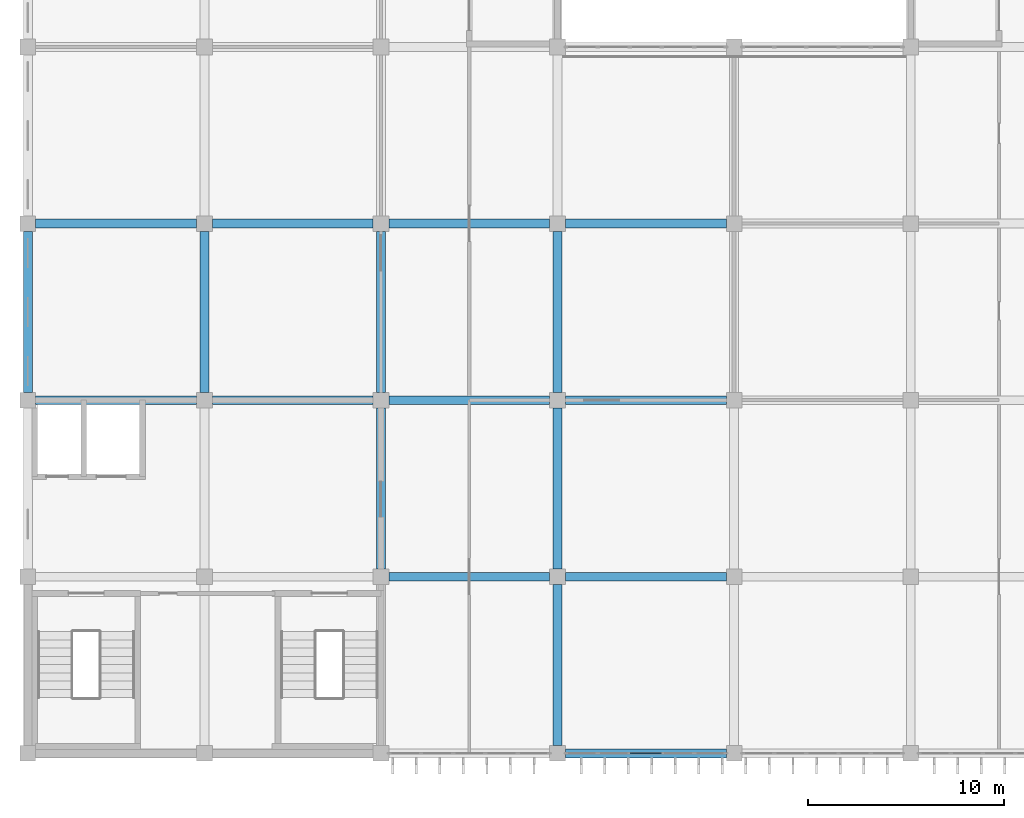
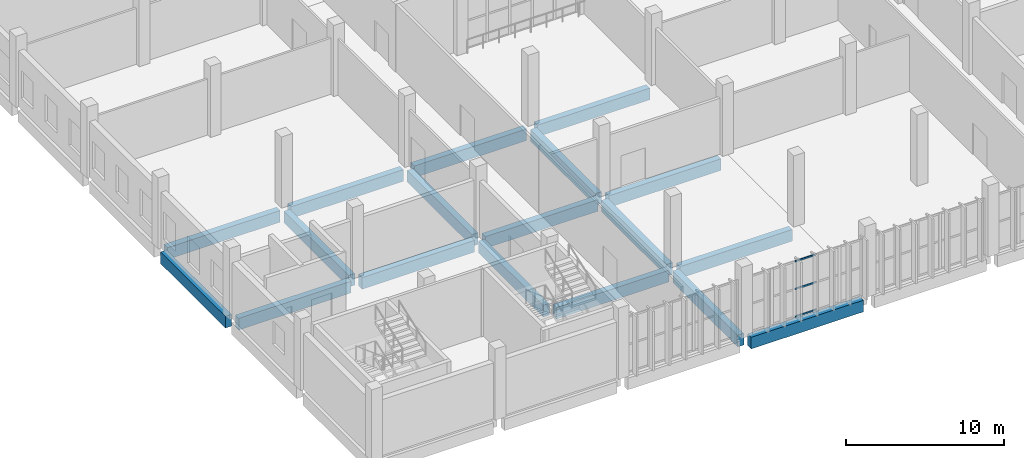
# One storey, part 17 of 185: 18 beams, 3 members, 1 element without a shape of its own.
"""IFC4 building model written with IfcOpenShell, lengths in metres."""

import ifcopenshell
import ifcopenshell.guid

model = None  # the IFC model being written
_history = None  # IfcOwnerHistory: only IFC2X3 demands one
_inside = {}  # id of a spatial element -> (the spatial element, [elements in it])
_under = {}  # id of a project, library or spatial element -> (it, [spatial elements below it])
_declared = {}  # id of a project -> (the project, [libraries it declares])
_typed = {}  # id of a type object -> (the type object, [elements of that type])
_made_of = {}  # id of a material, layer set ... -> (it, [elements and type objects made of it])


def new_model(schema):
    """Start an empty IFC model of exactly this schema.

    Asked for "IFC4X3", IfcOpenShell would pick the latest addendum, in which some entities
    have other attributes; the version numbers below select the first issue.
    IFC2X3 requires an IfcOwnerHistory on every rooted entity: one is made here for all.
    """
    global model, _history
    if schema == "IFC4X3":
        model = ifcopenshell.file(schema_version=(4, 3, 0, 0))
    else:
        model = ifcopenshell.file(schema=schema)
    _inside.clear()
    _under.clear()
    _declared.clear()
    _typed.clear()
    _made_of.clear()
    _history = None
    if model.schema == "IFC2X3":
        org = make("IfcOrganization", Name="unknown")
        user = make(
            "IfcPersonAndOrganization",
            ThePerson=make("IfcPerson", FamilyName="unknown"),
            TheOrganization=org,
        )
        app = make(
            "IfcApplication",
            ApplicationDeveloper=org,
            Version="unknown",
            ApplicationFullName="unknown",
            ApplicationIdentifier="unknown",
        )
        _history = make(
            "IfcOwnerHistory",
            OwningUser=user,
            OwningApplication=app,
            ChangeAction="ADDED",
            CreationDate=0,
        )
    return model


def make(cls, **values):
    """One entity of the class cls with the attributes given. An attribute that is None is left unset."""
    return model.create_entity(
        cls, **{name: value for name, value in values.items() if value is not None}
    )


def rooted(cls, **values):
    """An entity with a GlobalId (a new one), such as an element, a storey or a relation."""
    return make(cls, GlobalId=ifcopenshell.guid.new(), OwnerHistory=_history, **values)


def si_unit(unit_type, name, prefix=None):
    """IfcSIUnit, for example si_unit("LENGTHUNIT", "METRE", prefix="MILLI")."""
    return make("IfcSIUnit", UnitType=unit_type, Prefix=prefix, Name=name)


def assignment(units):
    """IfcUnitAssignment: the units of a project."""
    return None if units is None else make("IfcUnitAssignment", Units=units)


def point(xyz):
    """IfcCartesianPoint."""
    return None if xyz is None else make("IfcCartesianPoint", Coordinates=xyz)


def direction(xyz):
    """IfcDirection."""
    return None if xyz is None else make("IfcDirection", DirectionRatios=xyz)


def frame(location, z_axis=None, x_axis=None):
    """IfcAxis2Placement3D, a coordinate frame: its origin and axes. An axis left out is left unset."""
    return make(
        "IfcAxis2Placement3D",
        Location=point(location),
        Axis=direction(z_axis),
        RefDirection=direction(x_axis),
    )


def frame_2d(location, x_axis=None):
    """IfcAxis2Placement2D, a coordinate frame in the plane: its origin and x axis."""
    return make(
        "IfcAxis2Placement2D", Location=point(location), RefDirection=direction(x_axis)
    )


def origin():
    """The frame at (0, 0, 0) with its axes left unset."""
    return frame((0.0, 0.0, 0.0))


def origin_2d():
    """The frame at (0, 0) in the plane with its x axis left unset."""
    return frame_2d((0.0, 0.0))


def place(relative_to, where):
    """IfcLocalPlacement: puts the frame where relative to a parent placement (None: the world)."""
    return make(
        "IfcLocalPlacement", PlacementRelTo=relative_to, RelativePlacement=where
    )


def context(
    kind, dimensions, precision=None, world=None, true_north=None, identifier=None
):
    """IfcGeometricRepresentationContext, for example the 3D "Model" context."""
    return make(
        "IfcGeometricRepresentationContext",
        ContextIdentifier=identifier,
        ContextType=kind,
        CoordinateSpaceDimension=dimensions,
        Precision=precision,
        WorldCoordinateSystem=world,
        TrueNorth=true_north,
    )


def subcontext(parent, identifier, kind, view, scale=None):
    """IfcGeometricRepresentationSubContext, for example "Body" below "Model"."""
    return make(
        "IfcGeometricRepresentationSubContext",
        ContextIdentifier=identifier,
        ContextType=kind,
        ParentContext=parent,
        TargetScale=scale,
        TargetView=view,
    )


def project(units=None, contexts=None):
    """IfcProject with its units and contexts."""
    return rooted(
        "IfcProject",
        Name="project",
        RepresentationContexts=contexts,
        UnitsInContext=assignment(units),
    )


def spatial(cls, under=None, at=None, **own):
    """A site, building, storey or space (cls), placed at a placement, below another one or the project."""
    s = rooted(cls, ObjectPlacement=at, **own)
    if under is not None:
        _under.setdefault(under.id(), (under, []))[1].append(s)
    return s


def profile(cls, at=None, kind="AREA", **sizes):
    """A parametric profile (cls). Its sizes go by their IFC names, for example OverallWidth=200.0."""
    return make(cls, ProfileType=kind, Position=at, **sizes)


def rectangle(**sizes):
    """IfcRectangleProfileDef."""
    return profile("IfcRectangleProfileDef", **sizes)


def extrude(swept, where, along, depth):
    """IfcExtrudedAreaSolid: the profile swept, set in the frame where, extruded along a direction by depth."""
    return make(
        "IfcExtrudedAreaSolid",
        SweptArea=swept,
        Position=where,
        ExtrudedDirection=direction(along),
        Depth=depth,
    )


def shape(context_of_items, identifier, shape_type, items):
    """IfcShapeRepresentation: the items that make up one representation, for example the "Body"."""
    return make(
        "IfcShapeRepresentation",
        ContextOfItems=context_of_items,
        RepresentationIdentifier=identifier,
        RepresentationType=shape_type,
        Items=items,
    )


def material(Name=None, Category=None):
    """IfcMaterial."""
    return make("IfcMaterial", Name=Name, Category=Category)


def layer(
    of_material, thickness, ventilated=None, Name=None, Category=None, Priority=None
):
    """IfcMaterialLayer: one layer of a wall or slab, of a material (None: an air gap)."""
    return make(
        "IfcMaterialLayer",
        Material=of_material,
        LayerThickness=thickness,
        IsVentilated=ventilated,
        Name=Name,
        Category=Category,
        Priority=Priority,
    )


def layer_set(layers, Name=None):
    """IfcMaterialLayerSet."""
    return make("IfcMaterialLayerSet", MaterialLayers=layers, LayerSetName=Name)


def material_profile(
    of_material, cross_section, Name=None, Category=None, Priority=None
):
    """IfcMaterialProfile: a cross section and its material."""
    return make(
        "IfcMaterialProfile",
        Name=Name,
        Material=of_material,
        Profile=cross_section,
        Priority=Priority,
        Category=Category,
    )


def profile_set(profiles, Name=None, composite=None):
    """IfcMaterialProfileSet."""
    return make(
        "IfcMaterialProfileSet",
        Name=Name,
        MaterialProfiles=profiles,
        CompositeProfile=composite,
    )


def made_of(thing, what):
    """Note that an element or type object is made of a material, layer set ...; save() writes the relation."""
    if what is not None:
        _made_of.setdefault(what.id(), (what, []))[1].append(thing)
    return thing


def type_object(cls, material=None, **own):
    """A type object (cls), such as IfcWallType, which elements share."""
    return made_of(rooted(cls, **own), material)


def element(
    cls,
    number,
    at=None,
    inside=None,
    cuts=None,
    type_object=None,
    material=None,
    context=None,
    identifier="Body",
    shape_type=None,
    held_by="IfcProductDefinitionShape",
    body=None,
    shapes=None,
    **own,
):
    """One element of the class cls, such as IfcWall. Its Tag is "e" and its number.

    at: its placement. inside: the storey or other place that contains it. cuts: it is an
    opening in that element (IfcRelVoidsElement). A single representation is given by context,
    identifier, shape_type and body (its items); several are given by shapes. held_by: the class
    of the entity that holds the representations. save() writes the other relations.
    """
    e = rooted(cls, Tag="e%d" % number, ObjectPlacement=at, **own)
    if body is not None:
        shapes = [shape(context, identifier, shape_type, body)]
    if shapes is not None:
        e.Representation = make(held_by, Representations=shapes)
    if inside is not None:
        _inside.setdefault(inside.id(), (inside, []))[1].append(e)
    if cuts is not None:
        rooted(
            "IfcRelVoidsElement", RelatingBuildingElement=cuts, RelatedOpeningElement=e
        )
    if type_object is not None:
        _typed.setdefault(type_object.id(), (type_object, []))[1].append(e)
    return made_of(e, material)


def aggregate(whole, parts):
    """IfcRelAggregates: a whole, such as a stair, and the parts it consists of."""
    return rooted("IfcRelAggregates", RelatingObject=whole, RelatedObjects=parts)


def save(model, path):
    """Write the relations noted so far, then the file.

    IfcRelAggregates (storeys below a building ...), IfcRelContainedInSpatialStructure (elements
    in a storey), IfcRelDefinesByType, IfcRelAssociatesMaterial and IfcRelDeclares: one each for
    every whole, place, type object, material and project.
    """
    for whole, parts in _under.values():
        aggregate(whole, parts)
    for where, things in _inside.values():
        rooted(
            "IfcRelContainedInSpatialStructure",
            RelatedElements=things,
            RelatingStructure=where,
        )
    for kind, things in _typed.values():
        rooted("IfcRelDefinesByType", RelatedObjects=things, RelatingType=kind)
    for what, things in _made_of.values():
        rooted("IfcRelAssociatesMaterial", RelatedObjects=things, RelatingMaterial=what)
    for by, libraries in _declared.values():
        rooted("IfcRelDeclares", RelatingContext=by, RelatedDefinitions=libraries)
    model.write(path)


model = new_model("IFC4")

# Units and contexts
model_context = context("Model", 3, precision=1e-05, world=origin(), true_north=direction((0.0, 1.0)))
body_context = subcontext(model_context, "Body", "Model", "MODEL_VIEW")
ifc_project = project(units=[si_unit("LENGTHUNIT", "METRE"), si_unit("AREAUNIT", "SQUARE_METRE"), si_unit("VOLUMEUNIT", "CUBIC_METRE"), si_unit("PLANEANGLEUNIT", "RADIAN"), si_unit("MASSUNIT", "GRAM", prefix="KILO")], contexts=[model_context])

# Site, building, storey
site_placement = place(None, origin())
site = spatial("IfcSite", under=ifc_project, at=site_placement, CompositionType="ELEMENT")
building_placement = place(site_placement, origin())
building = spatial("IfcBuilding", under=site, at=building_placement, Name="Opaline Strait Convention Centre", CompositionType="ELEMENT")
storey_placement = place(building_placement, frame((0.0, 0.0, 6.0)))
storey = spatial("IfcBuildingStorey", under=building, at=storey_placement, Name="L01", CompositionType="ELEMENT", Elevation=6.0)

# Curtain wall, members
ifc_material_1 = material(Name="Aluminium framed double glazing", Category="aluminium")
ifc_layer = layer(ifc_material_1, 0.199951171875)
ifc_layer_set = layer_set([ifc_layer], Name="Aluminium framed double glazing")
curtain_wall_type = type_object("IfcCurtainWallType", Name="Curtain wall 1500 module", PredefinedType="NOTDEFINED", material=ifc_layer_set)
curtain_wall_placement = place(storey_placement, origin())
curtain_wall = element("IfcCurtainWall", 1, at=curtain_wall_placement, inside=storey, type_object=curtain_wall_type, Name="L01 S facade glazing bay 4", PredefinedType="NOTDEFINED")
ifc_material_2 = material(Name="Aluminium alloy 6063", Category="aluminium")
ifc_material_profile_1 = material_profile(ifc_material_2, rectangle(XDim=0.06005859375, YDim=0.1201171875, at=origin_2d()), Name="Curtain wall transom 60x120")
ifc_profile_set_1 = profile_set([ifc_material_profile_1], Name="Aluminium alloy 6063")
member_type = type_object("IfcMemberType", Name="Curtain wall transom 60x120", PredefinedType="USERDEFINED", material=ifc_profile_set_1)
member_1_placement = place(storey_placement, frame((39.7099609375, 9.0, 0.030029296875), z_axis=(1.0, 0.0, 0.0), x_axis=(0.0, 1.0, 0.0)))
member_1 = element("IfcMember", 2, at=member_1_placement, type_object=member_type, Name="RCW1 transom 3.1", ObjectType="TRANSOM", PredefinedType="USERDEFINED", context=body_context, shape_type="SweptSolid", body=[
    extrude(rectangle(XDim=0.06005859375, YDim=0.1201171875, at=origin_2d()), origin(), (0.0, 0.0, 1.0), 1.580078125),
])
member_2_placement = place(storey_placement, frame((39.7099609375, 9.0, 2.159912109375), z_axis=(1.0, 0.0, 0.0), x_axis=(0.0, 1.0, 0.0)))
member_2 = element("IfcMember", 3, at=member_2_placement, type_object=member_type, Name="RCW1 transom 3.2", ObjectType="TRANSOM", PredefinedType="USERDEFINED", context=body_context, shape_type="SweptSolid", body=[
    extrude(rectangle(XDim=0.06005859375, YDim=0.1201171875, at=origin_2d()), origin(), (0.0, 0.0, 1.0), 1.580078125),
])
member_3_placement = place(storey_placement, frame((39.7099609375, 9.0, 4.2900390625), z_axis=(1.0, 0.0, 0.0), x_axis=(0.0, 1.0, 0.0)))
member_3 = element("IfcMember", 4, at=member_3_placement, type_object=member_type, Name="RCW1 transom 3.3", ObjectType="TRANSOM", PredefinedType="USERDEFINED", context=body_context, shape_type="SweptSolid", body=[
    extrude(rectangle(XDim=0.06005859375, YDim=0.1201171875, at=origin_2d()), origin(), (0.0, 0.0, 1.0), 1.580078125),
])
aggregate(curtain_wall, [member_1, member_2, member_3])

# Beams
ifc_material_3 = material(Name="Concrete C35", Category="concrete")
ifc_material_profile_2 = material_profile(ifc_material_3, rectangle(XDim=0.449951171875, YDim=0.89990234375, at=origin_2d()), Name="RC 450x900")
ifc_profile_set_2 = profile_set([ifc_material_profile_2], Name="Concrete C35")
beam_type = type_object("IfcBeamType", Name="RC beam 450x900 C35", PredefinedType="BEAM", material=ifc_profile_set_2)
for number, where, z_axis, x_axis, name in (
    (5, (36.39990234375, 9.0, -0.72998046875), (1.0, 0.0, 0.0), (0.0, 1.0, 0.0), "XB1 L01 36/9-45/9"),
    (6, (27.39990234375, 18.0, -0.72998046875), (1.0, 0.0, 0.0), (0.0, 1.0, 0.0), "XB1 L01 27/18-36/18"),
    (7, (36.39990234375, 18.0, -0.72998046875), (1.0, 0.0, 0.0), (0.0, 1.0, 0.0), "XB1 L01 36/18-45/18"),
    (8, (9.39990234375, 27.0, -0.72998046875), (1.0, 0.0, 0.0), (0.0, 1.0, 0.0), "XB1 L01 9/27-18/27"),
    (9, (18.39990234375, 27.0, -0.72998046875), (1.0, 0.0, 0.0), (0.0, 1.0, 0.0), "XB1 L01 18/27-27/27"),
    (10, (27.39990234375, 27.0, -0.72998046875), (1.0, 0.0, 0.0), (0.0, 1.0, 0.0), "XB1 L01 27/27-36/27"),
    (11, (36.39990234375, 27.0, -0.72998046875), (1.0, 0.0, 0.0), (0.0, 1.0, 0.0), "XB1 L01 36/27-45/27"),
    (12, (9.39990234375, 36.0, -0.72998046875), (1.0, 0.0, 0.0), (0.0, 1.0, 0.0), "XB1 L01 9/36-18/36"),
    (13, (18.39990234375, 36.0, -0.72998046875), (1.0, 0.0, 0.0), (0.0, 1.0, 0.0), "XB1 L01 18/36-27/36"),
    (14, (27.39990234375, 36.0, -0.72998046875), (1.0, 0.0, 0.0), (0.0, 1.0, 0.0), "XB1 L01 27/36-36/36"),
    (15, (36.39990234375, 36.0, -0.72998046875), (1.0, 0.0, 0.0), (0.0, 1.0, 0.0), "XB1 L01 36/36-45/36"),
    (16, (9.0, 27.39990234375, -0.72998046875), (0.0, 1.0, 0.0), (-1.0, 0.0, 0.0), "XB1 L01 9/27-9/36"),
    (17, (18.0, 27.39990234375, -0.72998046875), (0.0, 1.0, 0.0), (-1.0, 0.0, 0.0), "XB1 L01 18/27-18/36"),
    (18, (27.0, 18.39990234375, -0.72998046875), (0.0, 1.0, 0.0), (-1.0, 0.0, 0.0), "XB1 L01 27/18-27/27"),
    (19, (27.0, 27.39990234375, -0.72998046875), (0.0, 1.0, 0.0), (-1.0, 0.0, 0.0), "XB1 L01 27/27-27/36"),
    (20, (36.0, 9.39990234375, -0.72998046875), (0.0, 1.0, 0.0), (-1.0, 0.0, 0.0), "XB1 L01 36/9-36/18"),
    (21, (36.0, 18.39990234375, -0.72998046875), (0.0, 1.0, 0.0), (-1.0, 0.0, 0.0), "XB1 L01 36/18-36/27"),
    (22, (36.0, 27.39990234375, -0.72998046875), (0.0, 1.0, 0.0), (-1.0, 0.0, 0.0), "XB1 L01 36/27-36/36"),
):
    element("IfcBeam", number, at=place(storey_placement, frame(where, z_axis=z_axis, x_axis=x_axis)), inside=storey, type_object=beam_type, Name=name, PredefinedType="BEAM", context=body_context, shape_type="SweptSolid", body=[
        extrude(rectangle(XDim=0.449951171875, YDim=0.89990234375, at=origin_2d()), origin(), (0.0, 0.0, 1.0), 8.2001953125),
    ])

save(model, "model.ifc")
